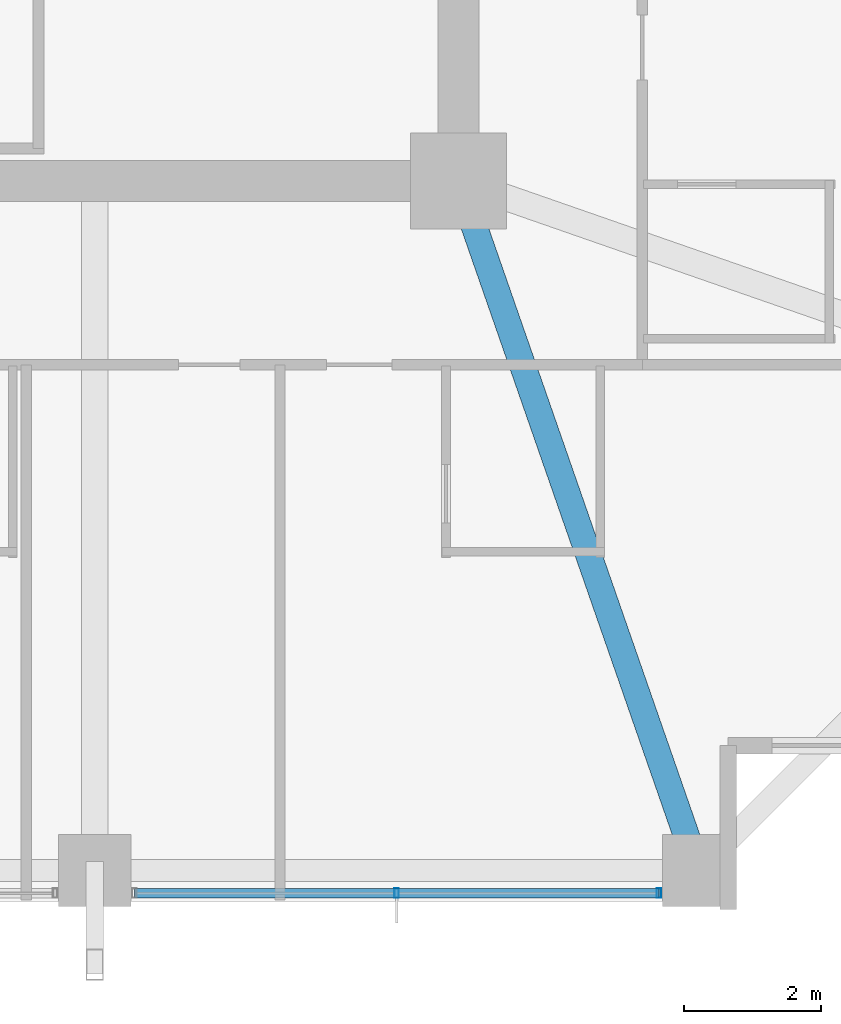
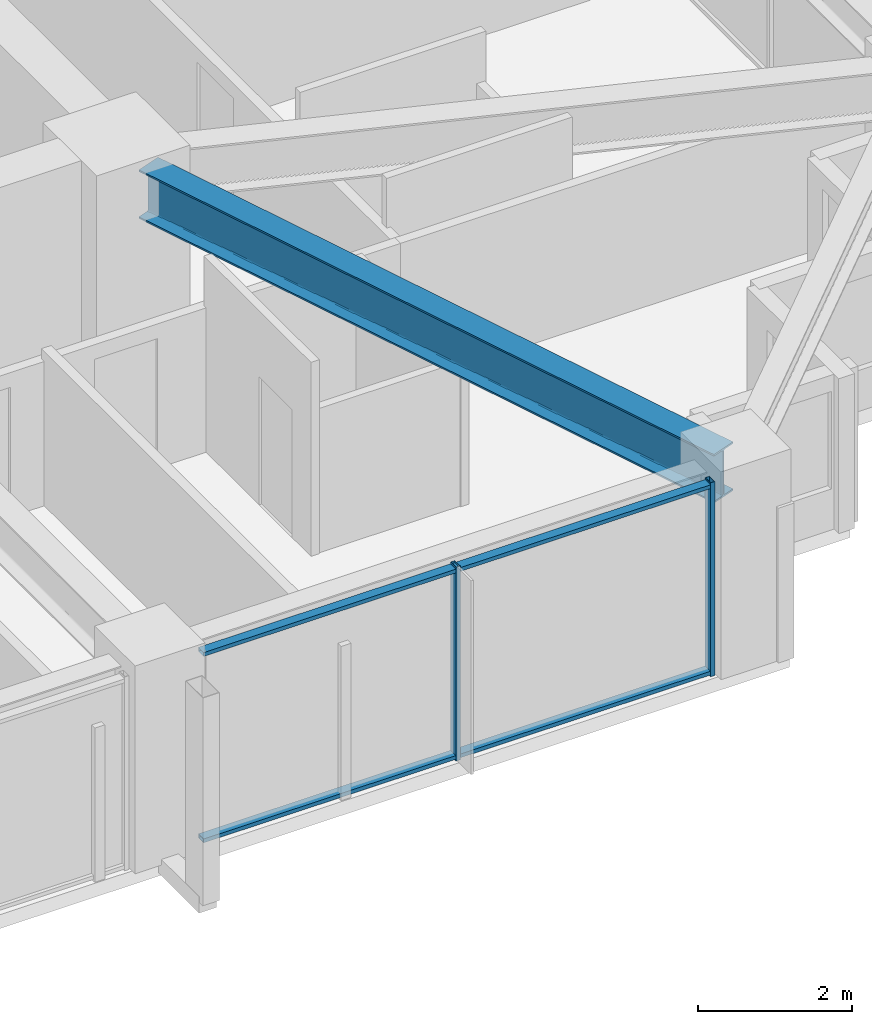
# One storey, part 11 of 37: 4 members, 1 beam, 1 element without a shape of its own.
"""IFC4 building model written with IfcOpenShell, lengths in metres."""

from ifc_helpers import new_model, si_unit, direction, frame, origin, origin_2d, place, context, subcontext, project, spatial, hollow_rectangle, i_section, extrude, material, material_profile, profile_set, type_object, element, aggregate, save


model = new_model("IFC4")

# Units and contexts
model_context = context("Model", 3, precision=1e-05, world=origin(), true_north=direction((0.0, 1.0)))
body_context = subcontext(model_context, "Body", "Model", "MODEL_VIEW")
ifc_project = project(units=[si_unit("LENGTHUNIT", "METRE"), si_unit("AREAUNIT", "SQUARE_METRE"), si_unit("VOLUMEUNIT", "CUBIC_METRE"), si_unit("PLANEANGLEUNIT", "RADIAN"), si_unit("MASSUNIT", "GRAM", prefix="KILO")], contexts=[model_context])

# Site, building, storey
site_placement = place(None, origin())
site = spatial("IfcSite", under=ifc_project, at=site_placement, CompositionType="ELEMENT")
building_placement = place(site_placement, origin())
building = spatial("IfcBuilding", under=site, at=building_placement, Name="Kolvaren Belvedere", CompositionType="ELEMENT")
storey_placement = place(building_placement, frame((0.0, 0.0, 75.5)))
storey = spatial("IfcBuildingStorey", under=building, at=storey_placement, Name="L21", CompositionType="ELEMENT", Elevation=75.5)

# Beam
ifc_material_1 = material(Name="Structural steel ASTM A992 Grade 50", Category="steel")
ifc_material_profile_1 = material_profile(ifc_material_1, i_section(OverallWidth=0.381103515625, OverallDepth=0.77294921875, WebThickness=0.0166015625, FlangeThickness=0.027099609375, FilletRadius=0.02392578125, at=origin_2d()), Name="W30X173")
ifc_profile_set_1 = profile_set([ifc_material_profile_1], Name="Structural steel ASTM A992 Grade 50")
beam_type = type_object("IfcBeamType", Name="BM-GIRD-W30X173", PredefinedType="BEAM", material=ifc_profile_set_1)
beam_placement = place(storey_placement, frame((10.080810546875, -10.41943359375, 2.693603515625), z_axis=(0.328880894453, -0.944371408538, 0.0), x_axis=(0.944371408538, 0.328880894453, 0.0)))
element("IfcBeam", 1, at=beam_placement, inside=storey, type_object=beam_type, Name="L21 Corner Core-to-Perimeter Girder CC2-S4", PredefinedType="BEAM", context=body_context, shape_type="SweptSolid", body=[
    extrude(i_section(OverallWidth=0.381103515625, OverallDepth=0.77294921875, WebThickness=0.0166015625, FlangeThickness=0.027099609375, FilletRadius=0.02392578125, at=origin_2d()), origin(), (0.0, 0.0, 1.0), 9.882080078125),
])

# Curtain wall, members
ifc_material_2 = material(Name="Anodised pale-metal aluminium AA 6063-T6", Category="aluminium")
curtain_wall_type = type_object("IfcCurtainWallType", Name="CW-Z2-MID", PredefinedType="NOTDEFINED", material=ifc_material_2)
curtain_wall_placement = place(storey_placement, origin())
curtain_wall = element("IfcCurtainWall", 2, at=curtain_wall_placement, inside=storey, type_object=curtain_wall_type, Name="L21 Unitised Curtain Wall FCW-L21-S-B1", PredefinedType="NOTDEFINED")
ifc_material_3 = material(Name="Anodised pale-metal aluminium AA 6063-T6", Category="aluminium")
ifc_material_profile_2 = material_profile(ifc_material_3, hollow_rectangle(XDim=0.06494140625, YDim=0.139892578125, WallThickness=0.00390625, at=origin_2d()), Name="ALU-MUL-140X65")
ifc_profile_set_2 = profile_set([ifc_material_profile_2], Name="Anodised pale-metal aluminium AA 6063-T6")
member_type_1 = type_object("IfcMemberType", Name="CW-MUL-140", PredefinedType="MULLION", material=ifc_profile_set_2)
member_1_placement = place(storey_placement, frame((12.822509765625, -20.280029296875, 0.0), z_axis=(0.0, 0.0, 1.0), x_axis=(1.0, 0.0, 0.0)))
member_1 = element("IfcMember", 3, at=member_1_placement, type_object=member_type_1, Name="FCW-L21-S-B1 Unitised Mullion 1", PredefinedType="MULLION", context=body_context, shape_type="SweptSolid", body=[
    extrude(hollow_rectangle(XDim=0.06494140625, YDim=0.139892578125, WallThickness=0.00390625, at=origin_2d()), origin(), (0.0, 0.0, 1.0), 3.080078125),
])
member_2_placement = place(storey_placement, frame((9.0, -20.280029296875, 0.0), z_axis=(0.0, 0.0, 1.0), x_axis=(1.0, 0.0, 0.0)))
member_2 = element("IfcMember", 4, at=member_2_placement, type_object=member_type_1, Name="FCW-L21-S-B1 Unitised Mullion 2", PredefinedType="MULLION", context=body_context, shape_type="SweptSolid", body=[
    extrude(hollow_rectangle(XDim=0.06494140625, YDim=0.139892578125, WallThickness=0.00390625, at=origin_2d()), origin(), (0.0, 0.0, 1.0), 3.080078125),
])
ifc_material_4 = material(Name="Anodised pale-metal aluminium AA 6063-T6", Category="aluminium")
ifc_material_profile_3 = material_profile(ifc_material_4, hollow_rectangle(XDim=0.06005859375, YDim=0.139892578125, WallThickness=0.00390625, at=origin_2d()), Name="ALU-TRN-140X60")
ifc_profile_set_3 = profile_set([ifc_material_profile_3], Name="Anodised pale-metal aluminium AA 6063-T6")
member_type_2 = type_object("IfcMemberType", Name="CW-TRN-140", PredefinedType="USERDEFINED", material=ifc_profile_set_3)
member_3_placement = place(storey_placement, frame((12.822509765625, -20.280029296875, 0.06005859375), z_axis=(-1.0, 0.0, 0.0), x_axis=(0.0, 0.0, 1.0)))
member_3 = element("IfcMember", 5, at=member_3_placement, type_object=member_type_2, Name="FCW-L21-S-B1 Sill Transom", ObjectType="TRANSOM", PredefinedType="USERDEFINED", context=body_context, shape_type="SweptSolid", body=[
    extrude(hollow_rectangle(XDim=0.06005859375, YDim=0.139892578125, WallThickness=0.00390625, at=origin_2d()), origin(), (0.0, 0.0, 1.0), 7.64501953125),
])
member_4_placement = place(storey_placement, frame((12.822509765625, -20.280029296875, 3.02001953125), z_axis=(-1.0, 0.0, 0.0), x_axis=(0.0, 0.0, 1.0)))
member_4 = element("IfcMember", 6, at=member_4_placement, type_object=member_type_2, Name="FCW-L21-S-B1 Head Transom", ObjectType="TRANSOM", PredefinedType="USERDEFINED", context=body_context, shape_type="SweptSolid", body=[
    extrude(hollow_rectangle(XDim=0.06005859375, YDim=0.139892578125, WallThickness=0.00390625, at=origin_2d()), origin(), (0.0, 0.0, 1.0), 7.64501953125),
])
aggregate(curtain_wall, [member_1, member_2, member_3, member_4])

save(model, "model.ifc")
